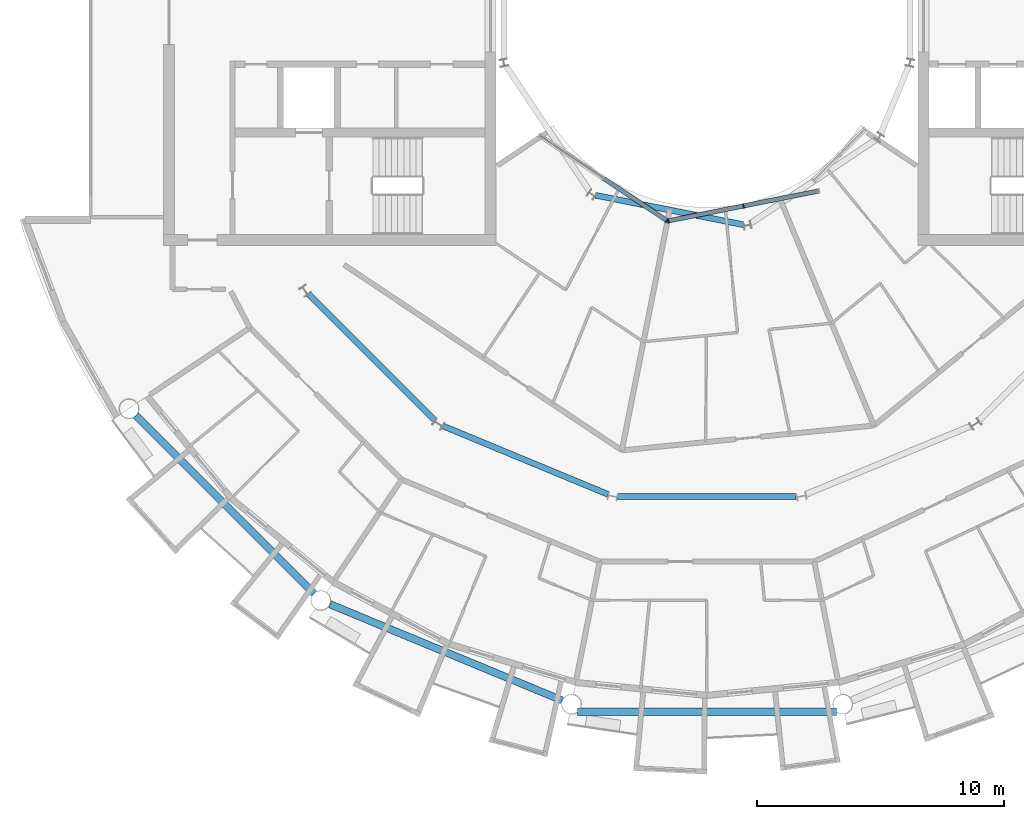
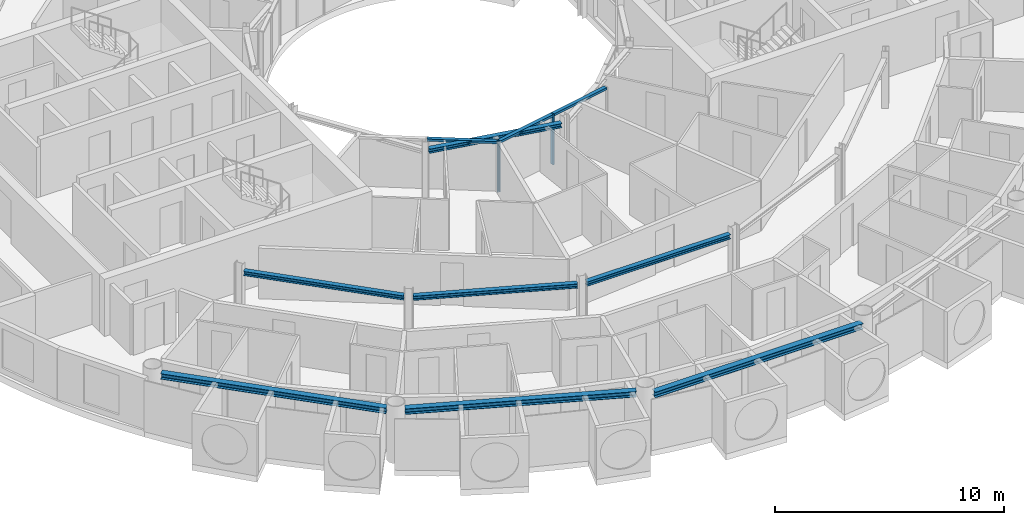
# One storey, part 6 of 29: 7 beams, 6 members, 2 elements without a shape of their own.
"""IFC4 building model written with IfcOpenShell, lengths in metres."""

from ifc_helpers import new_model, si_unit, direction, frame, origin, origin_2d, place, context, subcontext, project, spatial, rectangle, i_section, extrude, material, layer, layer_set, material_profile, profile_set, type_object, element, aggregate, save


model = new_model("IFC4")

# Units and contexts
model_context = context("Model", 3, precision=1e-05, world=origin(), true_north=direction((0.0, 1.0)))
body_context = subcontext(model_context, "Body", "Model", "MODEL_VIEW")
ifc_project = project(units=[si_unit("LENGTHUNIT", "METRE"), si_unit("AREAUNIT", "SQUARE_METRE"), si_unit("VOLUMEUNIT", "CUBIC_METRE"), si_unit("PLANEANGLEUNIT", "RADIAN"), si_unit("MASSUNIT", "GRAM", prefix="KILO")], contexts=[model_context])

# Site, building, storey
site_placement = place(None, origin())
site = spatial("IfcSite", under=ifc_project, at=site_placement, CompositionType="ELEMENT")
building_placement = place(site_placement, origin())
building = spatial("IfcBuilding", under=site, at=building_placement, Name="Maasbend Ring Residences", CompositionType="ELEMENT")
storey_placement = place(building_placement, frame((0.0, 0.0, 215.75)))
storey = spatial("IfcBuildingStorey", under=building, at=storey_placement, Name="L62", CompositionType="ELEMENT", Elevation=215.75)

# Curtain wall, member
ifc_material_1 = material(Name="Aluminium and clear glass", Category="aluminium")
ifc_layer = layer(ifc_material_1, 0.179931640625)
ifc_layer_set = layer_set([ifc_layer], Name="CW-W")
curtain_wall_type = type_object("IfcCurtainWallType", Name="CW-W", PredefinedType="NOTDEFINED", material=ifc_layer_set)
curtain_wall_1_placement = place(storey_placement, origin())
curtain_wall_1 = element("IfcCurtainWall", 1, at=curtain_wall_1_placement, inside=storey, type_object=curtain_wall_type, Name="Well curtain wall S1", PredefinedType="NOTDEFINED")
ifc_material_2 = material(Name="Aluminium 6063-T6", Category="aluminium")
ifc_material_profile_1 = material_profile(ifc_material_2, rectangle(XDim=0.179931640625, YDim=0.06005859375, at=origin_2d()), Name="AL 180x60")
ifc_profile_set_1 = profile_set([ifc_material_profile_1], Name="Aluminium 6063-T6")
member_type_1 = type_object("IfcMemberType", Name="CWM-W", PredefinedType="MULLION", material=ifc_profile_set_1)
member_1_placement = place(storey_placement, frame((-1.627685546875, -8.040771484375, 0.0), z_axis=(0.0, 0.0, 1.0), x_axis=(0.55557023302, 0.831469612303, 0.0)))
member_1 = element("IfcMember", 2, at=member_1_placement, type_object=member_type_1, Name="Mullion well face", PredefinedType="MULLION", context=body_context, shape_type="SweptSolid", body=[
    extrude(rectangle(XDim=0.179931640625, YDim=0.06005859375, at=origin_2d()), origin(), (0.0, 0.0, 1.0), 2.699951171875),
])

# Curtain wall, members
curtain_wall_2_placement = place(storey_placement, origin())
curtain_wall_2 = element("IfcCurtainWall", 3, at=curtain_wall_2_placement, inside=storey, type_object=curtain_wall_type, Name="Well curtain wall S2", PredefinedType="NOTDEFINED")
member_2_placement = place(storey_placement, frame((-1.5732421875, -8.0517578125, 0.0), z_axis=(0.0, 0.0, 1.0), x_axis=(-0.195090322016, 0.980785280403, 0.0)))
member_2 = element("IfcMember", 4, at=member_2_placement, type_object=member_type_1, Name="Mullion well face", PredefinedType="MULLION", context=body_context, shape_type="SweptSolid", body=[
    extrude(rectangle(XDim=0.179931640625, YDim=0.06005859375, at=origin_2d()), origin(), (0.0, 0.0, 1.0), 2.699951171875),
])
member_3_placement = place(storey_placement, frame((1.480712890625, -7.444091796875, 0.0), z_axis=(0.0, 0.0, 1.0), x_axis=(-0.195090322016, 0.980785280403, 0.0)))
member_3 = element("IfcMember", 5, at=member_3_placement, type_object=member_type_1, Name="Mullion well face", PredefinedType="MULLION", context=body_context, shape_type="SweptSolid", body=[
    extrude(rectangle(XDim=0.179931640625, YDim=0.06005859375, at=origin_2d()), origin(), (0.0, 0.0, 1.0), 2.699951171875),
])

# Member
ifc_material_3 = material(Name="Aluminium 6063-T6", Category="aluminium")
ifc_material_profile_2 = material_profile(ifc_material_3, rectangle(XDim=0.179931640625, YDim=0.1201171875, at=origin_2d()), Name="AL 180x120")
ifc_profile_set_2 = profile_set([ifc_material_profile_2], Name="Aluminium 6063-T6")
member_type_2 = type_object("IfcMemberType", Name="CWT-W", PredefinedType="USERDEFINED", material=ifc_profile_set_2)
member_4_placement = place(storey_placement, frame((-4.19189453125, -6.32763671875, 2.639892578125), z_axis=(0.831496422459, -0.555530106689, 0.0), x_axis=(0.555530106689, 0.831496422459, 0.0)))
member_4 = element("IfcMember", 6, at=member_4_placement, type_object=member_type_2, Name="Transom well face", ObjectType="TRANSOM", PredefinedType="USERDEFINED", context=body_context, shape_type="SweptSolid", body=[
    extrude(rectangle(XDim=0.179931640625, YDim=0.1201171875, at=origin_2d()), origin(), (0.0, 0.0, 1.0), 3.053955078125),
])

aggregate(curtain_wall_1, [member_1, member_4])

member_5_placement = place(storey_placement, frame((-1.5439453125, -8.0458984375, 2.639892578125), z_axis=(0.980776956105, 0.195132166424, 0.0), x_axis=(-0.195132166424, 0.980776956105, 0.0)))
member_5 = element("IfcMember", 7, at=member_5_placement, type_object=member_type_2, Name="Transom well face", ObjectType="TRANSOM", PredefinedType="USERDEFINED", context=body_context, shape_type="SweptSolid", body=[
    extrude(rectangle(XDim=0.179931640625, YDim=0.1201171875, at=origin_2d()), origin(), (0.0, 0.0, 1.0), 3.053955078125),
])

member_6_placement = place(storey_placement, frame((1.51025390625, -7.438232421875, 2.639892578125), z_axis=(0.980789210404, 0.19507056353, 0.0), x_axis=(-0.19507056353, 0.980789210404, 0.0)))
member_6 = element("IfcMember", 8, at=member_6_placement, type_object=member_type_2, Name="Transom well face", ObjectType="TRANSOM", PredefinedType="USERDEFINED", context=body_context, shape_type="SweptSolid", body=[
    extrude(rectangle(XDim=0.179931640625, YDim=0.1201171875, at=origin_2d()), origin(), (0.0, 0.0, 1.0), 3.0537109375),
])

aggregate(curtain_wall_2, [member_2, member_3, member_5, member_6])

# Beams
ifc_material_4 = material(Name="Steel S355J2", Category="steel")
ifc_material_profile_3 = material_profile(ifc_material_4, i_section(OverallWidth=0.239990234375, OverallDepth=0.22998046875, WebThickness=0.007568359375, FlangeThickness=0.011962890625, FilletRadius=0.02099609375, at=origin_2d()), Name="HEA 240")
ifc_profile_set_3 = profile_set([ifc_material_profile_3], Name="Steel S355J2")
beam_type_1 = type_object("IfcBeamType", Name="Corridor ring beam HEA 240", PredefinedType="BEAM", material=ifc_profile_set_3)
beam_1_placement = place(storey_placement, frame((-16.152587890625, -11.033447265625, 2.5849609375), z_axis=(0.707106781187, -0.707106781187, 0.0), x_axis=(0.707106781187, 0.707106781187, 0.0)))
element("IfcBeam", 9, at=beam_1_placement, inside=storey, type_object=beam_type_1, Name="Corridor ring beam", PredefinedType="BEAM", context=body_context, shape_type="SweptSolid", body=[
    extrude(i_section(OverallWidth=0.239990234375, OverallDepth=0.22998046875, WebThickness=0.007568359375, FlangeThickness=0.011962890625, FilletRadius=0.02099609375, at=origin_2d()), origin(), (0.0, 0.0, 1.0), 7.239501953125),
])
for number, where, z_axis, x_axis, name in (
    (10, (-10.70068359375, -16.374755859375, 2.5849609375), (0.923865162022, -0.382718123952, 0.0), (0.382718123952, 0.923865162022, 0.0), "Corridor ring beam"),
    (11, (-3.619873046875, -19.223388671875, 2.5849609375), (1.0, 0.0, 0.0), (0.0, 1.0, 0.0), "Corridor ring beam"),
):
    element("IfcBeam", number, at=place(storey_placement, frame(where, z_axis=z_axis, x_axis=x_axis)), inside=storey, type_object=beam_type_1, Name=name, PredefinedType="BEAM", context=body_context, shape_type="SweptSolid", body=[
        extrude(i_section(OverallWidth=0.239990234375, OverallDepth=0.22998046875, WebThickness=0.007568359375, FlangeThickness=0.011962890625, FilletRadius=0.02099609375, at=origin_2d()), origin(), (0.0, 0.0, 1.0), 7.23974609375),
    ])
ifc_material_5 = material(Name="Steel S355J2", Category="steel")
ifc_material_profile_4 = material_profile(ifc_material_5, i_section(OverallWidth=0.300048828125, OverallDepth=0.300048828125, WebThickness=0.010986328125, FlangeThickness=0.01904296875, FilletRadius=0.027099609375, at=origin_2d()), Name="HEB 300")
ifc_profile_set_4 = profile_set([ifc_material_profile_4], Name="Steel S355J2")
beam_type_2 = type_object("IfcBeamType", Name="Spandrel ring beam HEB 300", PredefinedType="SPANDREL", material=ifc_profile_set_4)
for number, where, z_axis, x_axis, name in (
    (12, (-23.159912109375, -15.95458984375, 2.550048828125), (0.707106781187, -0.707106781187, 0.0), (0.707106781187, 0.707106781187, 0.0), "Spandrel ring beam"),
    (13, (-15.29150390625, -23.60302734375, 2.550048828125), (0.923883676188, -0.382673428492, 0.0), (0.382673428492, 0.923883676188, 0.0), "Spandrel ring beam"),
):
    element("IfcBeam", number, at=place(storey_placement, frame(where, z_axis=z_axis, x_axis=x_axis)), inside=storey, type_object=beam_type_2, Name=name, PredefinedType="SPANDREL", context=body_context, shape_type="SweptSolid", body=[
        extrude(i_section(OverallWidth=0.300048828125, OverallDepth=0.300048828125, WebThickness=0.010986328125, FlangeThickness=0.01904296875, FilletRadius=0.027099609375, at=origin_2d()), origin(), (0.0, 0.0, 1.0), 10.18994140625),
    ])
beam_2_placement = place(storey_placement, frame((-5.2451171875, -27.9580078125, 2.550048828125), z_axis=(1.0, 0.0, 0.0), x_axis=(0.0, 1.0, 0.0)))
element("IfcBeam", 14, at=beam_2_placement, inside=storey, type_object=beam_type_2, Name="Spandrel ring beam", PredefinedType="SPANDREL", context=body_context, shape_type="SweptSolid", body=[
    extrude(i_section(OverallWidth=0.300048828125, OverallDepth=0.300048828125, WebThickness=0.010986328125, FlangeThickness=0.01904296875, FilletRadius=0.027099609375, at=origin_2d()), origin(), (0.0, 0.0, 1.0), 10.490234375),
])
ifc_material_6 = material(Name="Steel S355J2", Category="steel")
ifc_material_profile_5 = material_profile(ifc_material_6, i_section(OverallWidth=0.239990234375, OverallDepth=0.22998046875, WebThickness=0.007568359375, FlangeThickness=0.011962890625, FilletRadius=0.02099609375, at=origin_2d()), Name="HEA 240")
ifc_profile_set_5 = profile_set([ifc_material_profile_5], Name="Steel S355J2")
beam_type_3 = type_object("IfcBeamType", Name="Well edge beam HEA 240", PredefinedType="BEAM", material=ifc_profile_set_5)
beam_3_placement = place(storey_placement, frame((-4.512939453125, -7.014892578125, 2.5849609375), z_axis=(0.980782836869, -0.195102606089, 0.0), x_axis=(0.195102606089, 0.980782836869, 0.0)))
element("IfcBeam", 15, at=beam_3_placement, inside=storey, type_object=beam_type_3, Name="Well edge beam", PredefinedType="BEAM", context=body_context, shape_type="SweptSolid", body=[
    extrude(i_section(OverallWidth=0.239990234375, OverallDepth=0.22998046875, WebThickness=0.007568359375, FlangeThickness=0.011962890625, FilletRadius=0.02099609375, at=origin_2d()), origin(), (0.0, 0.0, 1.0), 6.115234375),
])

save(model, "model.ifc")
